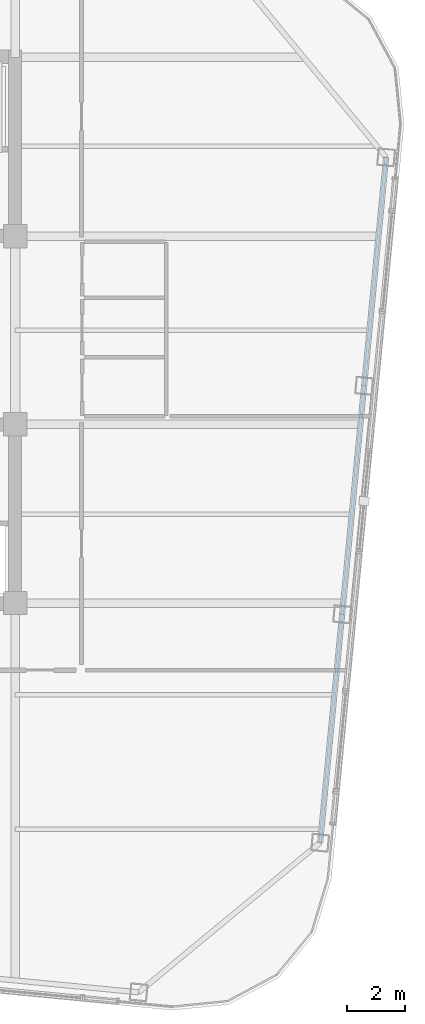
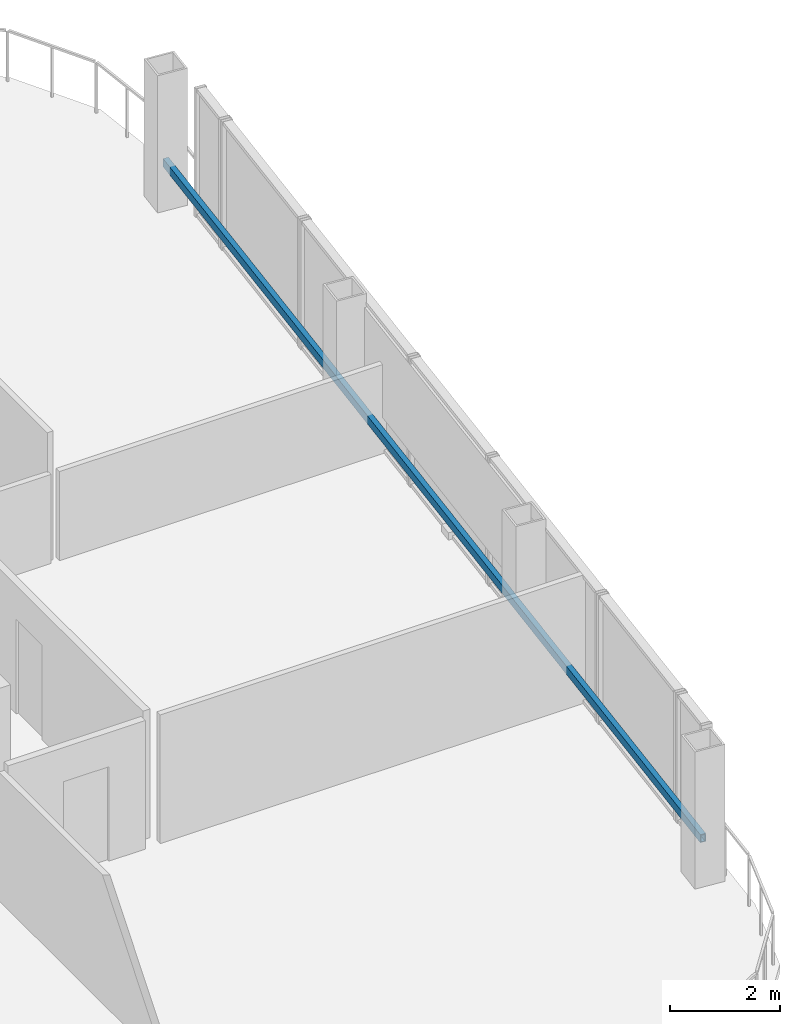
# One storey, part 14 of 27: 1 member.
"""IFC4 building model written with IfcOpenShell, lengths in metres."""

from ifc_helpers import new_model, si_unit, direction, frame, origin, origin_2d, place, context, subcontext, project, spatial, hollow_rectangle, extrude, material, material_profile, profile_set, type_object, element, save


model = new_model("IFC4")

# Units and contexts
model_context = context("Model", 3, precision=1e-05, world=origin(), true_north=direction((0.0, 1.0)))
body_context = subcontext(model_context, "Body", "Model", "MODEL_VIEW")
ifc_project = project(units=[si_unit("LENGTHUNIT", "METRE"), si_unit("AREAUNIT", "SQUARE_METRE"), si_unit("VOLUMEUNIT", "CUBIC_METRE"), si_unit("PLANEANGLEUNIT", "RADIAN"), si_unit("MASSUNIT", "GRAM", prefix="KILO")], contexts=[model_context])

# Site, building, storey
site_placement = place(None, origin())
site = spatial("IfcSite", under=ifc_project, at=site_placement, CompositionType="ELEMENT")
building_placement = place(site_placement, origin())
building = spatial("IfcBuilding", under=site, at=building_placement, Name="Qhalaya Broadcast Tower", CompositionType="ELEMENT")
storey_placement = place(building_placement, frame((0.0, 0.0, 258.10009765625)))
storey = spatial("IfcBuildingStorey", under=building, at=storey_placement, Name="L76", CompositionType="ELEMENT", Elevation=258.10009765625)

# Member
ifc_material = material(Name="Fired Architectural Terracotta", Category="masonry")
ifc_material_profile = material_profile(ifc_material, hollow_rectangle(XDim=0.110107421875, YDim=0.179931640625, WallThickness=0.01806640625, at=origin_2d()), Name="TB-BAG 110x180x18")
ifc_profile_set = profile_set([ifc_material_profile], Name="Fired Architectural Terracotta")
member_type = type_object("IfcMemberType", Name="Fired Terracotta Facade Baguette Member TB1", PredefinedType="USERDEFINED", material=ifc_profile_set)
member_placement = place(storey_placement, frame((19.82861328125, -16.962890625, 0.85791015625), z_axis=(0.095836197305, 0.995397118383, 0.0), x_axis=(-0.995397118383, 0.095836197305, 0.0)))
element("IfcMember", 1, at=member_placement, inside=storey, type_object=member_type, Name="L76 Terracotta Baguette Feature Rail E", ObjectType="BAGUETTE", PredefinedType="USERDEFINED", context=body_context, shape_type="SweptSolid", body=[
    extrude(hollow_rectangle(XDim=0.110107421875, YDim=0.179931640625, WallThickness=0.01806640625, at=origin_2d()), origin(), (0.0, 0.0, 1.0), 23.599853515625),
])

save(model, "model.ifc")
